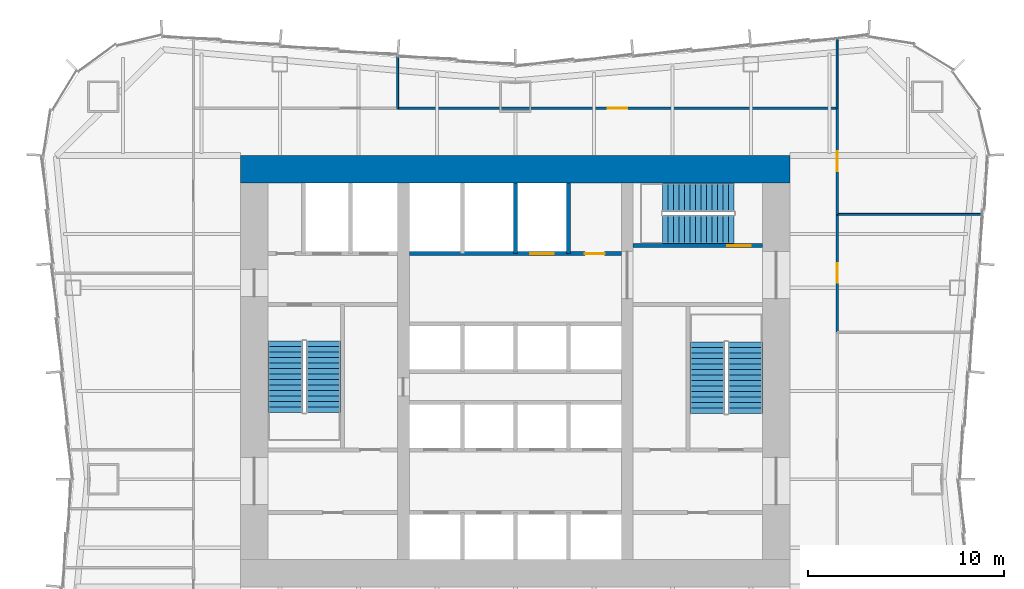
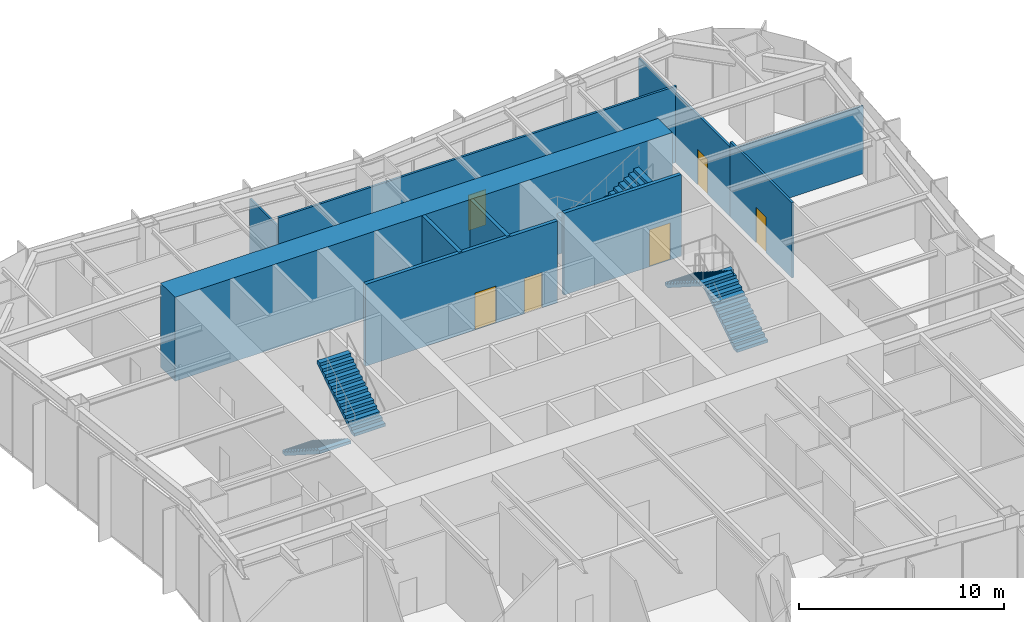
# One storey, part 12 of 14: 11 walls, 6 doors, 6 stair flights, 6 openings, 3 elements without a shape of their own.
"""IFC4 building model written with IfcOpenShell, lengths in metres."""

from ifc_helpers import new_model, si_unit, direction, frame, frame_2d, origin, place, context, subcontext, project, spatial, polyline, rectangle, outline, extrude, material, layer, layer_set, type_object, element, fill, aggregate, save


model = new_model("IFC4")

# Units and contexts
model_context = context("Model", 3, precision=1e-05, world=origin(), true_north=direction((0.0, 1.0)))
body_context = subcontext(model_context, "Body", "Model", "MODEL_VIEW")
ifc_project = project(units=[si_unit("LENGTHUNIT", "METRE"), si_unit("AREAUNIT", "SQUARE_METRE"), si_unit("VOLUMEUNIT", "CUBIC_METRE"), si_unit("PLANEANGLEUNIT", "RADIAN"), si_unit("MASSUNIT", "GRAM", prefix="KILO")], contexts=[model_context])

# Site, building, storey
site_placement = place(None, origin())
site = spatial("IfcSite", under=ifc_project, at=site_placement, CompositionType="ELEMENT")
building_placement = place(site_placement, origin())
building = spatial("IfcBuilding", under=site, at=building_placement, Name="Verdant Reach Tower", CompositionType="ELEMENT")
storey_placement = place(building_placement, frame((0.0, 0.0, 9.0)))
storey = spatial("IfcBuildingStorey", under=building, at=storey_placement, Name="L01", CompositionType="ELEMENT", Elevation=9.0)

# Wall, openings, doors
ifc_material_1 = material(Name="Concrete C40/50", Category="concrete")
ifc_layer_1 = layer(ifc_material_1, 0.199951171875)
ifc_layer_set_1 = layer_set([ifc_layer_1], Name="CO-WALL-SHAFT")
wall_type_1 = type_object("IfcWallType", Name="CO-WALL-SHAFT", PredefinedType="PARTITIONING", material=ifc_layer_set_1)
wall_1_placement = place(storey_placement, frame((-5.39990234375, 34.0, 0.0), z_axis=(0.0, 0.0, 1.0), x_axis=(1.0, 0.0, 0.0)))
wall_1 = element("IfcWall", 1, at=wall_1_placement, inside=storey, type_object=wall_type_1, Name="Lift shaft wall, L01", PredefinedType="PARTITIONING", context=body_context, shape_type="SweptSolid", body=[
    extrude(rectangle(XDim=10.7998046875, YDim=0.199951171875, at=frame_2d((5.39990234375, 0.0))), origin(), (0.0, 0.0, 1.0), 4.8701171875),
])
opening_1_placement = place(wall_1_placement, frame((6.14990234375, 0.0, 0.0)))
opening_1 = element("IfcOpeningElement", 2, at=opening_1_placement, cuts=wall_1, Name="Opening LD-SL1", PredefinedType="OPENING", context=body_context, shape_type="SweptSolid", body=[
    extrude(rectangle(XDim=1.199951171875, YDim=2.199951171875, at=frame_2d((0.60009765625, 1.10009765625))), frame((0.0, 0.10986328125, 0.0), z_axis=(0.0, -1.0, 0.0), x_axis=(1.0, 0.0, 0.0)), (0.0, 0.0, 1.0), 0.219970703125),
])
opening_2_placement = place(wall_1_placement, frame((8.949951171875, 0.0, 0.0)))
opening_2 = element("IfcOpeningElement", 3, at=opening_2_placement, cuts=wall_1, Name="Opening CD", PredefinedType="OPENING", context=body_context, shape_type="SweptSolid", body=[
    extrude(rectangle(XDim=1.0, YDim=2.10009765625, at=frame_2d((0.5, 1.050048828125))), frame((0.0, 0.10986328125, 0.0), z_axis=(0.0, -1.0, 0.0), x_axis=(1.0, 0.0, 0.0)), (0.0, 0.0, 1.0), 0.219970703125),
])
ifc_material_2 = material(Name="Stainless steel", Category="steel")
door_type_1 = type_object("IfcDoorType", Name="CO-DOOR-LANDING", OperationType="SLIDING_TO_LEFT", PredefinedType="DOOR", material=ifc_material_2)
door_1_placement = place(opening_1_placement, origin())
door_1 = element("IfcDoor", 4, at=door_1_placement, inside=storey, type_object=door_type_1, Name="Landing door SL1, L01", OperationType="SLIDING_TO_LEFT", OverallHeight=2.199951171875, OverallWidth=1.199951171875, PredefinedType="DOOR", context=body_context, shape_type="SweptSolid", body=[
    extrude(rectangle(XDim=1.199951171875, YDim=2.199951171875, at=frame_2d((0.60009765625, 1.10009765625))), frame((0.0, 0.02490234375, 0.0), z_axis=(0.0, -1.0, 0.0), x_axis=(1.0, 0.0, 0.0)), (0.0, 0.0, 1.0), 0.050048828125),
])
fill(opening_1, door_1)
ifc_material_3 = material(Name="Timber", Category="wood")
door_type_2 = type_object("IfcDoorType", Name="CO-DOOR-ROOM", OperationType="NOTDEFINED", PredefinedType="DOOR", material=ifc_material_3)
door_2_placement = place(opening_2_placement, origin())
door_2 = element("IfcDoor", 5, at=door_2_placement, inside=storey, type_object=door_type_2, Name="Core room door, L01", OperationType="SINGLE_SWING_LEFT", OverallHeight=2.10009765625, OverallWidth=1.0, PredefinedType="DOOR", context=body_context, shape_type="SweptSolid", body=[
    extrude(rectangle(XDim=1.0, YDim=2.10009765625, at=frame_2d((0.5, 1.050048828125))), frame((0.0, 0.02490234375, 0.0), z_axis=(0.0, -1.0, 0.0), x_axis=(1.0, 0.0, 0.0)), (0.0, 0.0, 1.0), 0.050048828125),
])
fill(opening_2, door_2)

# Walls
for number, where, z_axis, x_axis, name in (
    (6, (0.0, 34.0, 0.0), (0.0, 0.0, 1.0), (0.0, 1.0, 0.0), "Lift shaft wall, L01"),
    (7, (2.699951171875, 34.0, 0.0), (0.0, 0.0, 1.0), (0.0, 1.0, 0.0), "Lift shaft wall, L01"),
):
    element("IfcWall", number, at=place(storey_placement, frame(where, z_axis=z_axis, x_axis=x_axis)), inside=storey, type_object=wall_type_1, Name=name, PredefinedType="PARTITIONING", context=body_context, shape_type="SweptSolid", body=[
        extrude(rectangle(XDim=3.60009765625, YDim=0.199951171875, at=frame_2d((1.800048828125, 0.0))), origin(), (0.0, 0.0, 1.0), 4.8701171875),
    ])

# Wall, opening, door
ifc_layer_2 = layer(ifc_material_1, 0.199951171875)
ifc_layer_set_2 = layer_set([ifc_layer_2], Name="CO-WALL-STAIR")
wall_type_2 = type_object("IfcWallType", Name="CO-WALL-STAIR", PredefinedType="PARTITIONING", material=ifc_layer_set_2)
wall_2_placement = place(storey_placement, frame((6.0, 34.39990234375, 0.0), z_axis=(0.0, 0.0, 1.0), x_axis=(1.0, 0.0, 0.0)))
wall_2 = element("IfcWall", 8, at=wall_2_placement, inside=storey, type_object=wall_type_2, Name="Stair enclosure wall, L01", PredefinedType="PARTITIONING", context=body_context, shape_type="SweptSolid", body=[
    extrude(rectangle(XDim=6.60009765625, YDim=0.199951171875, at=frame_2d((3.300048828125, 0.0))), origin(), (0.0, 0.0, 1.0), 4.8701171875),
])
opening_3_placement = place(wall_2_placement, frame((4.800048828125, 0.0, 0.0)))
opening_3 = element("IfcOpeningElement", 9, at=opening_3_placement, cuts=wall_2, Name="Opening SD", PredefinedType="OPENING", context=body_context, shape_type="SweptSolid", body=[
    extrude(rectangle(XDim=1.199951171875, YDim=2.199951171875, at=frame_2d((0.60009765625, 1.10009765625))), frame((0.0, 0.10986328125, 0.0), z_axis=(0.0, -1.0, 0.0), x_axis=(1.0, 0.0, 0.0)), (0.0, 0.0, 1.0), 0.219970703125),
])
ifc_material_4 = material(Name="Steel", Category="steel")
door_type_3 = type_object("IfcDoorType", Name="CO-DOOR-STAIR", OperationType="NOTDEFINED", PredefinedType="DOOR", material=ifc_material_4)
door_3_placement = place(opening_3_placement, origin())
door_3 = element("IfcDoor", 10, at=door_3_placement, inside=storey, type_object=door_type_3, Name="Stair door, L01", OperationType="SINGLE_SWING_RIGHT", OverallHeight=2.199951171875, OverallWidth=1.199951171875, PredefinedType="DOOR", context=body_context, shape_type="SweptSolid", body=[
    extrude(rectangle(XDim=1.199951171875, YDim=2.199951171875, at=frame_2d((0.60009765625, 1.10009765625))), frame((0.0, 0.02490234375, 0.0), z_axis=(0.0, -1.0, 0.0), x_axis=(1.0, 0.0, 0.0)), (0.0, 0.0, 1.0), 0.050048828125),
])
fill(opening_3, door_3)

# Walls
ifc_material_5 = material(Name="Gypsum board on steel studs", Category="steel")
ifc_layer_3 = layer(ifc_material_5, 0.10009765625)
ifc_layer_set_3 = layer_set([ifc_layer_3], Name="FL-W1 Partition 100")
wall_type_3 = type_object("IfcWallType", Name="FL-W1 Partition 100", PredefinedType="PARTITIONING", material=ifc_layer_set_3)
wall_3_placement = place(storey_placement, frame((-6.0, 41.39990234375, 0.0), z_axis=(0.0, 0.0, 1.0), x_axis=(0.0, 1.0, 0.0)))
element("IfcWall", 11, at=wall_3_placement, inside=storey, type_object=wall_type_3, Name="Partition 01.43", PredefinedType="PARTITIONING", context=body_context, shape_type="SweptSolid", body=[
    extrude(rectangle(XDim=2.68017578125, YDim=0.10009765625, at=frame_2d((1.340087890625, 0.0))), origin(), (0.0, 0.0, 1.0), 4.0400390625),
])
wall_4_placement = place(storey_placement, frame((16.39990234375, 41.39599609375, 0.0), z_axis=(0.0, 0.0, 1.0), x_axis=(0.0, 1.0, 0.0)))
element("IfcWall", 12, at=wall_4_placement, inside=storey, type_object=wall_type_3, Name="Partition 01.45", PredefinedType="PARTITIONING", context=body_context, shape_type="SweptSolid", body=[
    extrude(rectangle(XDim=3.55078125, YDim=0.10009765625, at=frame_2d((1.775390625, 0.0))), origin(), (0.0, 0.0, 1.0), 4.0400390625),
])
wall_5_placement = place(storey_placement, frame((23.807373046875, 36.0, 0.0), z_axis=(0.0, 0.0, 1.0), x_axis=(-1.0, 0.0, 0.0)))
element("IfcWall", 13, at=wall_5_placement, inside=storey, type_object=wall_type_3, Name="Partition 01.53", PredefinedType="PARTITIONING", context=body_context, shape_type="SweptSolid", body=[
    extrude(rectangle(XDim=7.407470703125, YDim=0.10009765625, at=frame_2d((3.70361328125, 0.0))), origin(), (0.0, 0.0, 1.0), 4.0400390625),
])

# Wall, opening, door
ifc_material_6 = material(Name="Gypsum board on steel studs, fire rated", Category="steel")
ifc_layer_4 = layer(ifc_material_6, 0.125)
ifc_layer_set_4 = layer_set([ifc_layer_4], Name="FL-W2 Corridor wall 125")
wall_type_4 = type_object("IfcWallType", Name="FL-W2 Corridor wall 125", PredefinedType="PARTITIONING", material=ifc_layer_set_4)
wall_6_placement = place(storey_placement, frame((-6.0, 41.39990234375, 0.0), z_axis=(0.0, 0.0, 1.0), x_axis=(1.0, 0.0, 0.0)))
wall_6 = element("IfcWall", 14, at=wall_6_placement, inside=storey, type_object=wall_type_4, Name="Partition 01.08", PredefinedType="PARTITIONING", context=body_context, shape_type="SweptSolid", body=[
    extrude(rectangle(XDim=22.39990234375, YDim=0.125, at=frame_2d((11.199951171875, 0.0))), origin(), (0.0, 0.0, 1.0), 4.5400390625),
])
opening_4_placement = place(wall_6_placement, frame((10.699951171875, 0.0, 0.0)))
opening_4 = element("IfcOpeningElement", 15, at=opening_4_placement, cuts=wall_6, Name="Opening D2", PredefinedType="OPENING", context=body_context, shape_type="SweptSolid", body=[
    extrude(rectangle(XDim=1.0, YDim=2.10009765625, at=frame_2d((0.5, 1.050048828125))), frame((0.0, 0.072509765625, 0.0), z_axis=(0.0, -1.0, 0.0), x_axis=(1.0, 0.0, 0.0)), (0.0, 0.0, 1.0), 0.14501953125),
])
ifc_material_7 = material(Name="Timber door leaf, fire rated", Category="wood")
door_type_4 = type_object("IfcDoorType", Name="FL-D2 Entrance door 1000x2100 FD30", OperationType="NOTDEFINED", PredefinedType="DOOR", material=ifc_material_7)
door_4_placement = place(opening_4_placement, origin())
door_4 = element("IfcDoor", 16, at=door_4_placement, inside=storey, type_object=door_type_4, Name="Door 01-006", OperationType="SINGLE_SWING_RIGHT", OverallHeight=2.10009765625, OverallWidth=1.0, PredefinedType="DOOR", context=body_context, shape_type="SweptSolid", body=[
    extrude(rectangle(XDim=1.0, YDim=2.10009765625, at=frame_2d((0.5, 1.050048828125))), frame((0.0, 0.02490234375, 0.0), z_axis=(0.0, -1.0, 0.0), x_axis=(1.0, 0.0, 0.0)), (0.0, 0.0, 1.0), 0.050048828125),
])
fill(opening_4, door_4)

wall_7_placement = place(storey_placement, frame((16.39990234375, 36.0, 0.0), z_axis=(0.0, 0.0, 1.0), x_axis=(0.0, -1.0, 0.0)))
wall_7 = element("IfcWall", 17, at=wall_7_placement, inside=storey, type_object=wall_type_4, Name="Partition 01.17", PredefinedType="PARTITIONING", context=body_context, shape_type="SweptSolid", body=[
    extrude(rectangle(XDim=6.0, YDim=0.125, at=frame_2d((3.0, 0.0))), origin(), (0.0, 0.0, 1.0), 4.47998046875),
])
opening_5_placement = place(wall_7_placement, frame((2.5, 0.0, 0.0)))
opening_5 = element("IfcOpeningElement", 18, at=opening_5_placement, cuts=wall_7, Name="Opening D2", PredefinedType="OPENING", context=body_context, shape_type="SweptSolid", body=[
    extrude(rectangle(XDim=1.0, YDim=2.10009765625, at=frame_2d((0.5, 1.050048828125))), frame((0.0, 0.072509765625, 0.0), z_axis=(0.0, -1.0, 0.0), x_axis=(1.0, 0.0, 0.0)), (0.0, 0.0, 1.0), 0.14501953125),
])
door_5_placement = place(opening_5_placement, origin())
door_5 = element("IfcDoor", 19, at=door_5_placement, inside=storey, type_object=door_type_4, Name="Door 01-014", OperationType="SINGLE_SWING_RIGHT", OverallHeight=2.10009765625, OverallWidth=1.0, PredefinedType="DOOR", context=body_context, shape_type="SweptSolid", body=[
    extrude(rectangle(XDim=1.0, YDim=2.10009765625, at=frame_2d((0.5, 1.050048828125))), frame((0.0, 0.02490234375, 0.0), z_axis=(0.0, -1.0, 0.0), x_axis=(1.0, 0.0, 0.0)), (0.0, 0.0, 1.0), 0.050048828125),
])
fill(opening_5, door_5)

wall_8_placement = place(storey_placement, frame((16.39990234375, 41.404052734375, 0.0), z_axis=(0.0, 0.0, 1.0), x_axis=(0.0, -1.0, 0.0)))
wall_8 = element("IfcWall", 20, at=wall_8_placement, inside=storey, type_object=wall_type_4, Name="Partition 01.18", PredefinedType="PARTITIONING", context=body_context, shape_type="SweptSolid", body=[
    extrude(rectangle(XDim=5.404052734375, YDim=0.125, at=frame_2d((2.7021484375, 0.0))), origin(), (0.0, 0.0, 1.0), 4.139892578125),
])
opening_6_placement = place(wall_8_placement, frame((2.201904296875, 0.0, 0.0)))
opening_6 = element("IfcOpeningElement", 21, at=opening_6_placement, cuts=wall_8, Name="Opening D2", PredefinedType="OPENING", context=body_context, shape_type="SweptSolid", body=[
    extrude(rectangle(XDim=1.0, YDim=2.10009765625, at=frame_2d((0.5, 1.050048828125))), frame((0.0, 0.072509765625, 0.0), z_axis=(0.0, -1.0, 0.0), x_axis=(1.0, 0.0, 0.0)), (0.0, 0.0, 1.0), 0.14501953125),
])
door_6_placement = place(opening_6_placement, origin())
door_6 = element("IfcDoor", 22, at=door_6_placement, inside=storey, type_object=door_type_4, Name="Door 01-015", OperationType="SINGLE_SWING_LEFT", OverallHeight=2.10009765625, OverallWidth=1.0, PredefinedType="DOOR", context=body_context, shape_type="SweptSolid", body=[
    extrude(rectangle(XDim=1.0, YDim=2.10009765625, at=frame_2d((0.5, 1.050048828125))), frame((0.0, 0.02490234375, 0.0), z_axis=(0.0, -1.0, 0.0), x_axis=(1.0, 0.0, 0.0)), (0.0, 0.0, 1.0), 0.050048828125),
])
fill(opening_6, door_6)

# Wall
ifc_material_8 = material(Name="Concrete C70/85", Category="concrete")
ifc_layer_5 = layer(ifc_material_8, 1.39990234375)
ifc_layer_set_5 = layer_set([ifc_layer_5], Name="ST-CORE-WALL-1400")
wall_type_5 = type_object("IfcWallType", Name="ST-CORE-WALL-1400", PredefinedType="SHEAR", material=ifc_layer_set_5)
wall_9_placement = place(storey_placement, frame((-14.0, 38.300048828125, -0.1298828125), z_axis=(0.0, 0.0, 1.0), x_axis=(1.0, 0.0, 0.0)))
element("IfcWall", 23, at=wall_9_placement, inside=storey, type_object=wall_type_5, Name="Core wall N, L01", PredefinedType="SHEAR", context=body_context, shape_type="SweptSolid", body=[
    extrude(rectangle(XDim=28.0, YDim=1.39990234375, at=frame_2d((14.0, 0.0))), origin(), (0.0, 0.0, 1.0), 5.0),
])

# Stair, stair flights
stair_type = type_object("IfcStairType", Name="CO-STAIR", PredefinedType="HALF_TURN_STAIR", material=ifc_material_1)
stair_1_placement = place(storey_placement, origin())
stair_1 = element("IfcStair", 24, at=stair_1_placement, inside=storey, type_object=stair_type, Name="L01 Exit stair 1", PredefinedType="HALF_TURN_STAIR")
stair_flight_type = type_object("IfcStairFlightType", Name="CO-STAIR-FLIGHT", PredefinedType="STRAIGHT", material=ifc_material_1)
stair_flight_1_placement = place(storey_placement, frame((-11.72509765625, 29.550048828125, 0.0), z_axis=(0.0, 0.0, 1.0), x_axis=(0.0, -1.0, 0.0)))
stair_flight_1 = element("IfcStairFlight", 25, at=stair_flight_1_placement, type_object=stair_flight_type, Name="ST-1 flight 1", NumberOfRisers=14, NumberOfTreads=13, PredefinedType="STRAIGHT", RiserHeight=0.178571429, TreadLength=0.28, context=body_context, shape_type="SweptSolid", body=[
    extrude(outline(polyline([(0.0, 0.0), (0.0, 0.178466796875), (0.280029296875, 0.178466796875), (0.280029296875, 0.357177734375), (0.56005859375, 0.357177734375), (0.56005859375, 0.53564453125), (0.840087890625, 0.53564453125), (0.840087890625, 0.71435546875), (1.1201171875, 0.71435546875), (1.1201171875, 0.892822265625), (1.39990234375, 0.892822265625), (1.39990234375, 1.071533203125), (1.679931640625, 1.071533203125), (1.679931640625, 1.25), (1.9599609375, 1.25), (1.9599609375, 1.428466796875), (2.239990234375, 1.428466796875), (2.239990234375, 1.607177734375), (2.52001953125, 1.607177734375), (2.52001953125, 1.78564453125), (2.800048828125, 1.78564453125), (2.800048828125, 1.96435546875), (3.080078125, 1.96435546875), (3.080078125, 2.142822265625), (3.360107421875, 2.142822265625), (3.360107421875, 2.321533203125), (3.639892578125, 2.321533203125), (3.639892578125, 2.5), (3.639892578125, 2.1435546875), (0.27880859375, 0.0), (0.0, 0.0)])), frame((0.0, 0.875, 0.0), z_axis=(0.0, -1.0, 0.0), x_axis=(1.0, 0.0, 0.0)), (0.0, 0.0, 1.0), 1.75),
])
stair_flight_2_placement = place(storey_placement, frame((-9.77490234375, 25.909912109375, 2.5), z_axis=(0.0, 0.0, 1.0), x_axis=(0.0, 1.0, 0.0)))
stair_flight_2 = element("IfcStairFlight", 26, at=stair_flight_2_placement, type_object=stair_flight_type, Name="ST-1 flight 2", NumberOfRisers=14, NumberOfTreads=13, PredefinedType="STRAIGHT", RiserHeight=0.178571429, TreadLength=0.28, context=body_context, shape_type="SweptSolid", body=[
    extrude(outline(polyline([(0.0, 0.0), (0.0, 0.178466796875), (0.280029296875, 0.178466796875), (0.280029296875, 0.357177734375), (0.56005859375, 0.357177734375), (0.56005859375, 0.53564453125), (0.840087890625, 0.53564453125), (0.840087890625, 0.71435546875), (1.1201171875, 0.71435546875), (1.1201171875, 0.892822265625), (1.39990234375, 0.892822265625), (1.39990234375, 1.071533203125), (1.679931640625, 1.071533203125), (1.679931640625, 1.25), (1.9599609375, 1.25), (1.9599609375, 1.428466796875), (2.239990234375, 1.428466796875), (2.239990234375, 1.607177734375), (2.52001953125, 1.607177734375), (2.52001953125, 1.78564453125), (2.800048828125, 1.78564453125), (2.800048828125, 1.96435546875), (3.080078125, 1.96435546875), (3.080078125, 2.142822265625), (3.360107421875, 2.142822265625), (3.360107421875, 2.321533203125), (3.639892578125, 2.321533203125), (3.639892578125, 2.5), (3.639892578125, 2.1435546875), (0.27880859375, 0.0), (0.0, 0.0)])), frame((0.0, 0.875, 0.0), z_axis=(0.0, -1.0, 0.0), x_axis=(1.0, 0.0, 0.0)), (0.0, 0.0, 1.0), 1.75),
])
aggregate(stair_1, [stair_flight_1, stair_flight_2])

stair_2_placement = place(storey_placement, origin())
stair_2 = element("IfcStair", 27, at=stair_2_placement, inside=storey, type_object=stair_type, Name="L01 Exit stair 2", PredefinedType="HALF_TURN_STAIR")
stair_flight_3_placement = place(storey_placement, frame((11.72509765625, 25.85009765625, 0.0), z_axis=(0.0, 0.0, 1.0), x_axis=(0.0, 1.0, 0.0)))
stair_flight_3 = element("IfcStairFlight", 28, at=stair_flight_3_placement, type_object=stair_flight_type, Name="ST-2 flight 1", NumberOfRisers=14, NumberOfTreads=13, PredefinedType="STRAIGHT", RiserHeight=0.178571429, TreadLength=0.28, context=body_context, shape_type="SweptSolid", body=[
    extrude(outline(polyline([(0.0, 0.0), (0.0, 0.178466796875), (0.280029296875, 0.178466796875), (0.280029296875, 0.357177734375), (0.56005859375, 0.357177734375), (0.56005859375, 0.53564453125), (0.840087890625, 0.53564453125), (0.840087890625, 0.71435546875), (1.1201171875, 0.71435546875), (1.1201171875, 0.892822265625), (1.39990234375, 0.892822265625), (1.39990234375, 1.071533203125), (1.679931640625, 1.071533203125), (1.679931640625, 1.25), (1.9599609375, 1.25), (1.9599609375, 1.428466796875), (2.239990234375, 1.428466796875), (2.239990234375, 1.607177734375), (2.52001953125, 1.607177734375), (2.52001953125, 1.78564453125), (2.800048828125, 1.78564453125), (2.800048828125, 1.96435546875), (3.080078125, 1.96435546875), (3.080078125, 2.142822265625), (3.360107421875, 2.142822265625), (3.360107421875, 2.321533203125), (3.639892578125, 2.321533203125), (3.639892578125, 2.5), (3.639892578125, 2.1435546875), (0.27880859375, 0.0), (0.0, 0.0)])), frame((0.0, 0.875, 0.0), z_axis=(0.0, -1.0, 0.0), x_axis=(1.0, 0.0, 0.0)), (0.0, 0.0, 1.0), 1.75),
])
stair_flight_4_placement = place(storey_placement, frame((9.77490234375, 29.489990234375, 2.5), z_axis=(0.0, 0.0, 1.0), x_axis=(0.0, -1.0, 0.0)))
stair_flight_4 = element("IfcStairFlight", 29, at=stair_flight_4_placement, type_object=stair_flight_type, Name="ST-2 flight 2", NumberOfRisers=14, NumberOfTreads=13, PredefinedType="STRAIGHT", RiserHeight=0.178571429, TreadLength=0.28, context=body_context, shape_type="SweptSolid", body=[
    extrude(outline(polyline([(0.0, 0.0), (0.0, 0.178466796875), (0.280029296875, 0.178466796875), (0.280029296875, 0.357177734375), (0.56005859375, 0.357177734375), (0.56005859375, 0.53564453125), (0.840087890625, 0.53564453125), (0.840087890625, 0.71435546875), (1.1201171875, 0.71435546875), (1.1201171875, 0.892822265625), (1.39990234375, 0.892822265625), (1.39990234375, 1.071533203125), (1.679931640625, 1.071533203125), (1.679931640625, 1.25), (1.9599609375, 1.25), (1.9599609375, 1.428466796875), (2.239990234375, 1.428466796875), (2.239990234375, 1.607177734375), (2.52001953125, 1.607177734375), (2.52001953125, 1.78564453125), (2.800048828125, 1.78564453125), (2.800048828125, 1.96435546875), (3.080078125, 1.96435546875), (3.080078125, 2.142822265625), (3.360107421875, 2.142822265625), (3.360107421875, 2.321533203125), (3.639892578125, 2.321533203125), (3.639892578125, 2.5), (3.639892578125, 2.1435546875), (0.27880859375, 0.0), (0.0, 0.0)])), frame((0.0, 0.875, 0.0), z_axis=(0.0, -1.0, 0.0), x_axis=(1.0, 0.0, 0.0)), (0.0, 0.0, 1.0), 1.75),
])
aggregate(stair_2, [stair_flight_3, stair_flight_4])

stair_3_placement = place(storey_placement, origin())
stair_3 = element("IfcStair", 30, at=stair_3_placement, inside=storey, type_object=stair_type, Name="L01 Exit stair 3", PredefinedType="HALF_TURN_STAIR")
stair_flight_5_placement = place(storey_placement, frame((11.14990234375, 36.875, 0.0), z_axis=(0.0, 0.0, 1.0), x_axis=(-1.0, 0.0, 0.0)))
stair_flight_5 = element("IfcStairFlight", 31, at=stair_flight_5_placement, type_object=stair_flight_type, Name="ST-3 flight 1", NumberOfRisers=14, NumberOfTreads=13, PredefinedType="STRAIGHT", RiserHeight=0.178571429, TreadLength=0.28, context=body_context, shape_type="SweptSolid", body=[
    extrude(outline(polyline([(0.0, 0.0), (0.0, 0.178466796875), (0.280029296875, 0.178466796875), (0.280029296875, 0.357177734375), (0.56005859375, 0.357177734375), (0.56005859375, 0.53564453125), (0.840087890625, 0.53564453125), (0.840087890625, 0.71435546875), (1.1201171875, 0.71435546875), (1.1201171875, 0.892822265625), (1.39990234375, 0.892822265625), (1.39990234375, 1.071533203125), (1.679931640625, 1.071533203125), (1.679931640625, 1.25), (1.9599609375, 1.25), (1.9599609375, 1.428466796875), (2.239990234375, 1.428466796875), (2.239990234375, 1.607177734375), (2.52001953125, 1.607177734375), (2.52001953125, 1.78564453125), (2.800048828125, 1.78564453125), (2.800048828125, 1.96435546875), (3.080078125, 1.96435546875), (3.080078125, 2.142822265625), (3.360107421875, 2.142822265625), (3.360107421875, 2.321533203125), (3.639892578125, 2.321533203125), (3.639892578125, 2.5), (3.639892578125, 2.1435546875), (0.27880859375, 0.0), (0.0, 0.0)])), frame((0.0, 0.72509765625, 0.0), z_axis=(0.0, -1.0, 0.0), x_axis=(1.0, 0.0, 0.0)), (0.0, 0.0, 1.0), 1.449951171875),
])
stair_flight_6_placement = place(storey_placement, frame((7.510009765625, 35.22509765625, 2.5), z_axis=(0.0, 0.0, 1.0), x_axis=(1.0, 0.0, 0.0)))
stair_flight_6 = element("IfcStairFlight", 32, at=stair_flight_6_placement, type_object=stair_flight_type, Name="ST-3 flight 2", NumberOfRisers=14, NumberOfTreads=13, PredefinedType="STRAIGHT", RiserHeight=0.178571429, TreadLength=0.28, context=body_context, shape_type="SweptSolid", body=[
    extrude(outline(polyline([(0.0, 0.0), (0.0, 0.178466796875), (0.280029296875, 0.178466796875), (0.280029296875, 0.357177734375), (0.56005859375, 0.357177734375), (0.56005859375, 0.53564453125), (0.840087890625, 0.53564453125), (0.840087890625, 0.71435546875), (1.1201171875, 0.71435546875), (1.1201171875, 0.892822265625), (1.39990234375, 0.892822265625), (1.39990234375, 1.071533203125), (1.679931640625, 1.071533203125), (1.679931640625, 1.25), (1.9599609375, 1.25), (1.9599609375, 1.428466796875), (2.239990234375, 1.428466796875), (2.239990234375, 1.607177734375), (2.52001953125, 1.607177734375), (2.52001953125, 1.78564453125), (2.800048828125, 1.78564453125), (2.800048828125, 1.96435546875), (3.080078125, 1.96435546875), (3.080078125, 2.142822265625), (3.360107421875, 2.142822265625), (3.360107421875, 2.321533203125), (3.639892578125, 2.321533203125), (3.639892578125, 2.5), (3.639892578125, 2.1435546875), (0.27880859375, 0.0), (0.0, 0.0)])), frame((0.0, 0.72509765625, 0.0), z_axis=(0.0, -1.0, 0.0), x_axis=(1.0, 0.0, 0.0)), (0.0, 0.0, 1.0), 1.449951171875),
])
aggregate(stair_3, [stair_flight_5, stair_flight_6])

save(model, "model.ifc")
